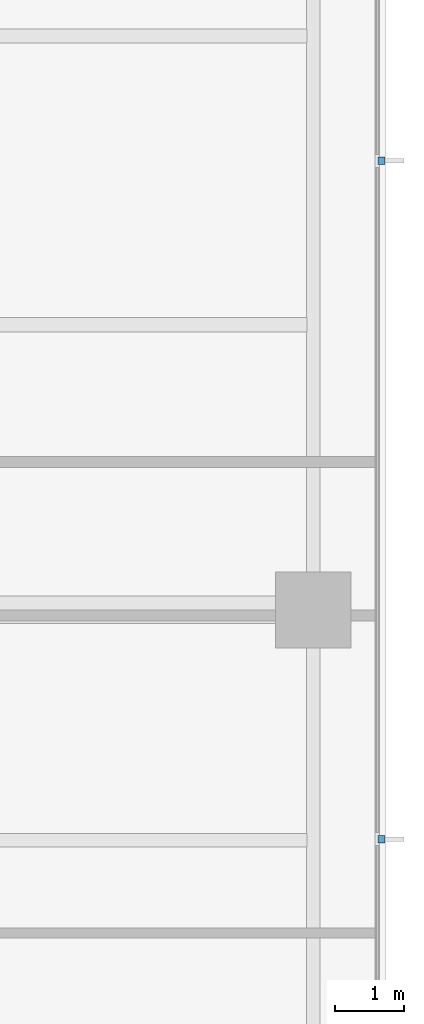
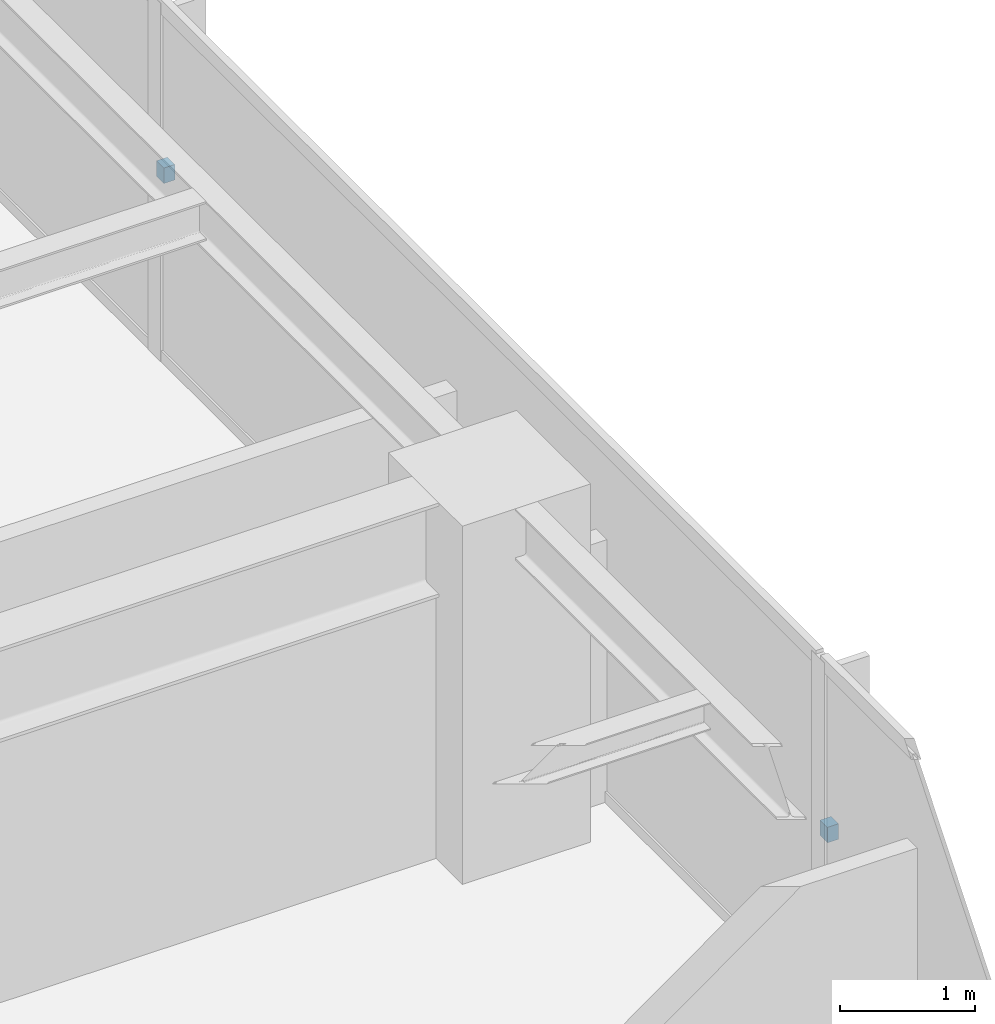
# One storey, part 12 of 15: 2 discrete accessories.
"""IFC4 building model written with IfcOpenShell, lengths in metres."""

from ifc_helpers import new_model, si_unit, direction, frame, origin, place, context, subcontext, project, spatial, polyline, outline, extrude, material, type_object, element, save


model = new_model("IFC4")

# Units and contexts
model_context = context("Model", 3, precision=1e-05, world=origin(), true_north=direction((0.0, 1.0)))
body_context = subcontext(model_context, "Body", "Model", "MODEL_VIEW")
ifc_project = project(units=[si_unit("LENGTHUNIT", "METRE"), si_unit("AREAUNIT", "SQUARE_METRE"), si_unit("VOLUMEUNIT", "CUBIC_METRE"), si_unit("PLANEANGLEUNIT", "RADIAN"), si_unit("MASSUNIT", "GRAM", prefix="KILO")], contexts=[model_context])

# Site, building, storey
site_placement = place(None, origin())
site = spatial("IfcSite", under=ifc_project, at=site_placement, CompositionType="ELEMENT")
building_placement = place(site_placement, origin())
building = spatial("IfcBuilding", under=site, at=building_placement, Name="Qalmaran Belvedere Hotel", CompositionType="ELEMENT")
storey_placement = place(building_placement, frame((0.0, 0.0, 149.10009765625)))
storey = spatial("IfcBuildingStorey", under=building, at=storey_placement, Name="L37", CompositionType="ELEMENT", Elevation=149.10009765625)

# Discrete accessories
ifc_material = material(Name="Stainless Steel 1.4401", Category="steel")
discrete_accessory_type = type_object("IfcDiscreteAccessoryType", Name="BRK-FIN-SS316", PredefinedType="BRACKET", material=ifc_material)
discrete_accessory_1_placement = place(storey_placement, frame((0.0, 0.0, 1.574951171875)))
element("IfcDiscreteAccessory", 1, at=discrete_accessory_1_placement, inside=storey, type_object=discrete_accessory_type, Name="L37 Fin Bracket 1", PredefinedType="BRACKET", context=body_context, shape_type="SweptSolid", body=[
    extrude(outline(polyline([(56.094970703125, 17.11181640625), (56.18994140625, 17.11181640625), (56.18994140625, 17.2216796875), (56.094970703125, 17.2216796875), (56.094970703125, 17.11181640625)])), origin(), (0.0, 0.0, 1.0), 0.139892578125),
])
discrete_accessory_2_placement = place(storey_placement, frame((0.0, 0.0, 1.574951171875)))
element("IfcDiscreteAccessory", 2, at=discrete_accessory_2_placement, inside=storey, type_object=discrete_accessory_type, Name="L37 Fin Bracket 2", PredefinedType="BRACKET", context=body_context, shape_type="SweptSolid", body=[
    extrude(outline(polyline([(56.094970703125, 26.978271484375), (56.18994140625, 26.978271484375), (56.18994140625, 27.08837890625), (56.094970703125, 27.08837890625), (56.094970703125, 26.978271484375)])), origin(), (0.0, 0.0, 1.0), 0.139892578125),
])

save(model, "model.ifc")
